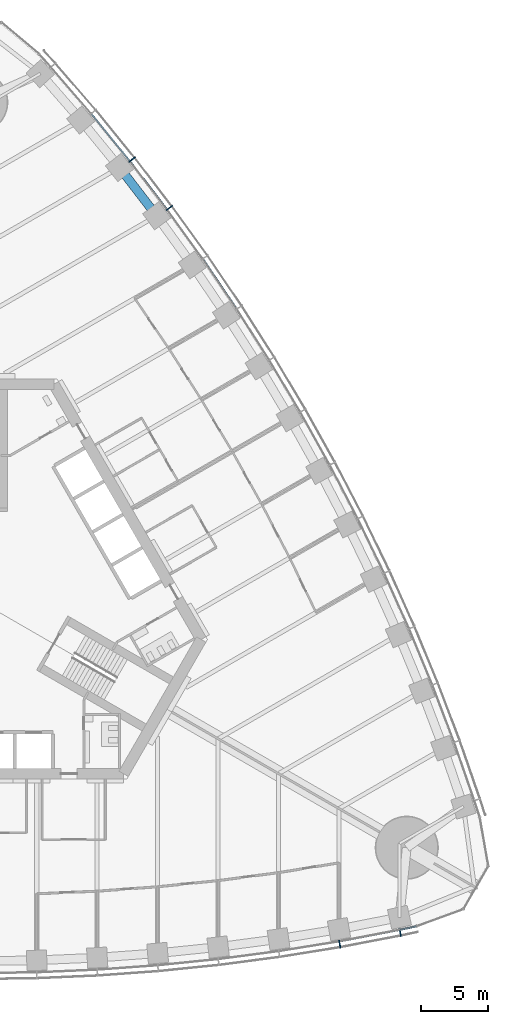
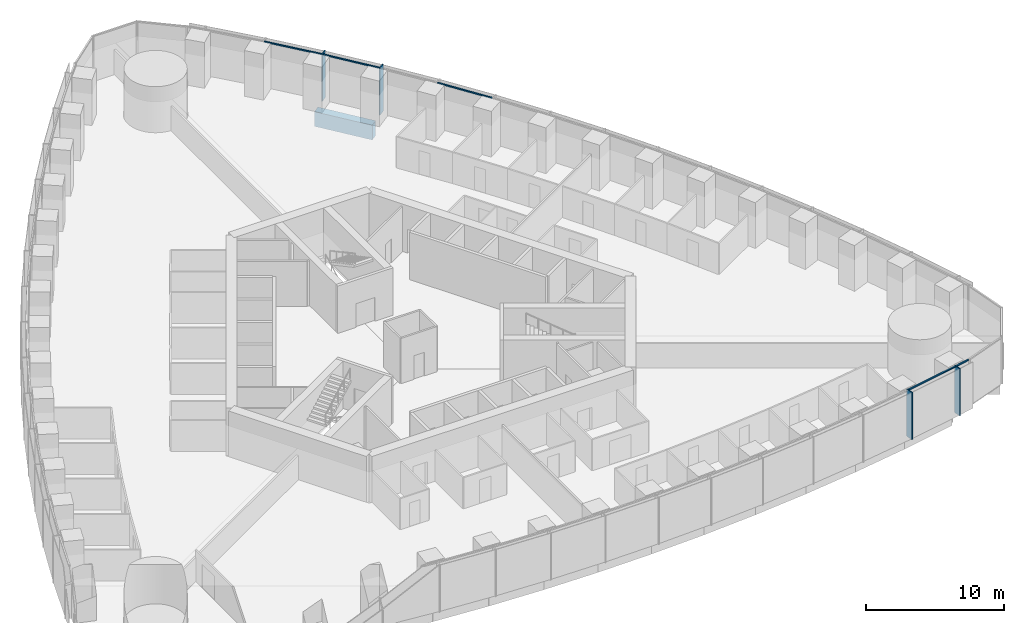
# One storey, part 5 of 19: 9 members, 1 beam, 2 elements without a shape of their own.
"""IFC4 building model written with IfcOpenShell, lengths in metres."""

from ifc_helpers import new_model, si_unit, direction, frame, origin, origin_2d, place, context, subcontext, project, spatial, rectangle, extrude, material, material_profile, profile_set, type_object, element, aggregate, save


model = new_model("IFC4")

# Units and contexts
model_context = context("Model", 3, precision=1e-05, world=origin(), true_north=direction((0.0, 1.0)))
body_context = subcontext(model_context, "Body", "Model", "MODEL_VIEW")
ifc_project = project(units=[si_unit("LENGTHUNIT", "METRE"), si_unit("AREAUNIT", "SQUARE_METRE"), si_unit("VOLUMEUNIT", "CUBIC_METRE"), si_unit("PLANEANGLEUNIT", "RADIAN"), si_unit("MASSUNIT", "GRAM", prefix="KILO")], contexts=[model_context])

# Site, building, storey
site_placement = place(None, origin())
site = spatial("IfcSite", under=ifc_project, at=site_placement, CompositionType="ELEMENT")
building_placement = place(site_placement, origin())
building = spatial("IfcBuilding", under=site, at=building_placement, Name="Trefoil Bronze Tower", CompositionType="ELEMENT")
storey_placement = place(building_placement, frame((0.0, 0.0, 45.89990234375)))
storey = spatial("IfcBuildingStorey", under=building, at=storey_placement, Name="L10", CompositionType="ELEMENT", Elevation=45.89990234375)

# Curtain wall, members
ifc_material_1 = material(Name="Tinted solar-control glass", Category="glass")
curtain_wall_type = type_object("IfcCurtainWallType", Name="Bronze office curtain wall", PredefinedType="USERDEFINED", material=ifc_material_1)
curtain_wall_1_placement = place(storey_placement, origin())
curtain_wall_1 = element("IfcCurtainWall", 1, at=curtain_wall_1_placement, inside=storey, type_object=curtain_wall_type, Name="CW-A L10 F1", ObjectType="CURTAIN WALL", PredefinedType="USERDEFINED")
ifc_material_2 = material(Name="Bronze-finish aluminium", Category="aluminium")
ifc_material_profile_1 = material_profile(ifc_material_2, rectangle(XDim=0.60009765625, YDim=0.080078125, at=origin_2d()), Name="CW-A mullion")
ifc_profile_set_1 = profile_set([ifc_material_profile_1], Name="Bronze-finish aluminium")
member_type_1 = type_object("IfcMemberType", Name="Bronze office curtain wall mullion", PredefinedType="MULLION", material=ifc_profile_set_1)
member_1_placement = place(storey_placement, frame((27.05224609375, -25.67578125, 0.0), z_axis=(0.0, 0.0, 1.0), x_axis=(-0.174131146426, 0.984722470468, 0.0)))
member_1 = element("IfcMember", 2, at=member_1_placement, type_object=member_type_1, Name="CW-A L10 F1 mullion 15", PredefinedType="MULLION", context=body_context, shape_type="SweptSolid", body=[
    extrude(rectangle(XDim=0.60009765625, YDim=0.080078125, at=origin_2d()), origin(), (0.0, 0.0, 1.0), 4.18017578125),
])
member_2_placement = place(storey_placement, frame((31.559326171875, -24.81005859375, 0.0), z_axis=(0.0, 0.0, 1.0), x_axis=(-0.197910006829, 0.98022019424, 0.0)))
member_2 = element("IfcMember", 3, at=member_2_placement, type_object=member_type_1, Name="CW-A L10 F1 mullion 16", PredefinedType="MULLION", context=body_context, shape_type="SweptSolid", body=[
    extrude(rectangle(XDim=0.60009765625, YDim=0.080078125, at=origin_2d()), origin(), (0.0, 0.0, 1.0), 4.18017578125),
])

curtain_wall_2_placement = place(storey_placement, origin())
curtain_wall_2 = element("IfcCurtainWall", 4, at=curtain_wall_2_placement, inside=storey, type_object=curtain_wall_type, Name="CW-A L10 F2", ObjectType="CURTAIN WALL", PredefinedType="USERDEFINED")
member_3_placement = place(storey_placement, frame((14.364013671875, 29.117919921875, 0.0), z_axis=(0.0, 0.0, 1.0), x_axis=(-0.802126748469, -0.59715381552, 0.0)))
member_3 = element("IfcMember", 5, at=member_3_placement, type_object=member_type_1, Name="CW-A L10 F2 mullion 13", PredefinedType="MULLION", context=body_context, shape_type="SweptSolid", body=[
    extrude(rectangle(XDim=0.60009765625, YDim=0.080078125, at=origin_2d()), origin(), (0.0, 0.0, 1.0), 4.18017578125),
])
member_4_placement = place(storey_placement, frame((11.595458984375, 32.7255859375, 0.0), z_axis=(0.0, 0.0, 1.0), x_axis=(-0.784304615744, -0.620375910011, 0.0)))
member_4 = element("IfcMember", 6, at=member_4_placement, type_object=member_type_1, Name="CW-A L10 F2 mullion 14", PredefinedType="MULLION", context=body_context, shape_type="SweptSolid", body=[
    extrude(rectangle(XDim=0.60009765625, YDim=0.080078125, at=origin_2d()), origin(), (0.0, 0.0, 1.0), 4.18017578125),
])

# Member
ifc_material_3 = material(Name="Bronze-finish aluminium", Category="aluminium")
ifc_material_profile_2 = material_profile(ifc_material_3, rectangle(XDim=0.1201171875, YDim=0.10009765625, at=origin_2d()), Name="CW-A transom")
ifc_profile_set_2 = profile_set([ifc_material_profile_2], Name="Bronze-finish aluminium")
member_type_2 = type_object("IfcMemberType", Name="Bronze office curtain wall transom", PredefinedType="USERDEFINED", material=ifc_profile_set_2)
member_5_placement = place(storey_placement, frame((27.05810546875, -25.470947265625, 4.130126953125), z_axis=(0.982053603997, 0.188602011855, 0.0), x_axis=(-0.188602011855, 0.982053603997, 0.0)))
member_5 = element("IfcMember", 7, at=member_5_placement, type_object=member_type_2, Name="CW-A L10 F1 transom 15", ObjectType="TRANSOM", PredefinedType="USERDEFINED", context=body_context, shape_type="SweptSolid", body=[
    extrude(rectangle(XDim=0.1201171875, YDim=0.10009765625, at=origin_2d()), origin(), (0.0, 0.0, 1.0), 4.502197265625),
])

member_6_placement = place(storey_placement, frame((31.559814453125, -24.605712890625, 4.130126953125), z_axis=(0.978266371807, 0.207352129942, 0.0), x_axis=(-0.207352129942, 0.978266371807, 0.0)))
member_6 = element("IfcMember", 8, at=member_6_placement, type_object=member_type_2, Name="CW-A L10 F1 transom 16", ObjectType="TRANSOM", PredefinedType="USERDEFINED", context=body_context, shape_type="SweptSolid", body=[
    extrude(rectangle(XDim=0.1201171875, YDim=0.10009765625, at=origin_2d()), origin(), (0.0, 0.0, 1.0), 1.21044921875),
])

aggregate(curtain_wall_1, [member_1, member_2, member_5, member_6])

member_7_placement = place(storey_placement, frame((19.364990234375, 21.627197265625, 4.130126953125), z_axis=(-0.561508153923, 0.827471203775, 0.0), x_axis=(-0.827471203775, -0.561508153923, 0.0)))
member_7 = element("IfcMember", 9, at=member_7_placement, type_object=member_type_2, Name="CW-A L10 F2 transom 11", ObjectType="TRANSOM", PredefinedType="USERDEFINED", context=body_context, shape_type="SweptSolid", body=[
    extrude(rectangle(XDim=0.1201171875, YDim=0.10009765625, at=origin_2d()), origin(), (0.0, 0.0, 1.0), 4.431884765625),
])

member_8_placement = place(storey_placement, frame((14.178466796875, 29.031494140625, 4.130126953125), z_axis=(-0.608829203216, 0.793301330713, 0.0), x_axis=(-0.793301330713, -0.608829203216, 0.0)))
member_8 = element("IfcMember", 10, at=member_8_placement, type_object=member_type_2, Name="CW-A L10 F2 transom 13", ObjectType="TRANSOM", PredefinedType="USERDEFINED", context=body_context, shape_type="SweptSolid", body=[
    extrude(rectangle(XDim=0.1201171875, YDim=0.10009765625, at=origin_2d()), origin(), (0.0, 0.0, 1.0), 4.458740234375),
])

member_9_placement = place(storey_placement, frame((11.412353515625, 32.6337890625, 4.130126953125), z_axis=(-0.631835540201, 0.775102477185, 0.0), x_axis=(-0.775102477185, -0.631835540201, 0.0)))
member_9 = element("IfcMember", 11, at=member_9_placement, type_object=member_type_2, Name="CW-A L10 F2 transom 14", ObjectType="TRANSOM", PredefinedType="USERDEFINED", context=body_context, shape_type="SweptSolid", body=[
    extrude(rectangle(XDim=0.1201171875, YDim=0.10009765625, at=origin_2d()), origin(), (0.0, 0.0, 1.0), 4.478271484375),
])

aggregate(curtain_wall_2, [member_3, member_4, member_7, member_8, member_9])

# Beam
ifc_material_4 = material(Name="Concrete B80", Category="concrete")
ifc_material_profile_3 = material_profile(ifc_material_4, rectangle(XDim=0.64990234375, YDim=1.300048828125, at=origin_2d()), Name="RC 650x1300")
ifc_profile_set_3 = profile_set([ifc_material_profile_3], Name="Concrete B80")
beam_type = type_object("IfcBeamType", Name="Spandrel beam RC 650x1300", PredefinedType="SPANDREL", material=ifc_profile_set_3)
beam_placement = place(storey_placement, frame((13.42578125, 28.5361328125, -0.849853515625), z_axis=(-0.609338992146, 0.792909826305, 0.0), x_axis=(-0.792909826305, -0.609338992146, 0.0)))
element("IfcBeam", 12, at=beam_placement, inside=storey, type_object=beam_type, Name="Spandrel F2.13 L10", PredefinedType="SPANDREL", context=body_context, shape_type="SweptSolid", body=[
    extrude(rectangle(XDim=0.64990234375, YDim=1.300048828125, at=origin_2d()), origin(), (0.0, 0.0, 1.0), 4.5390625),
])

save(model, "model.ifc")
